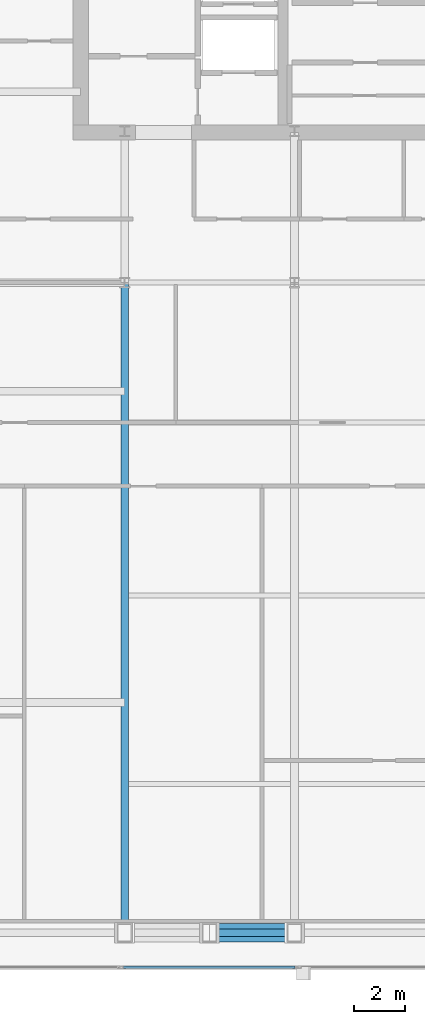
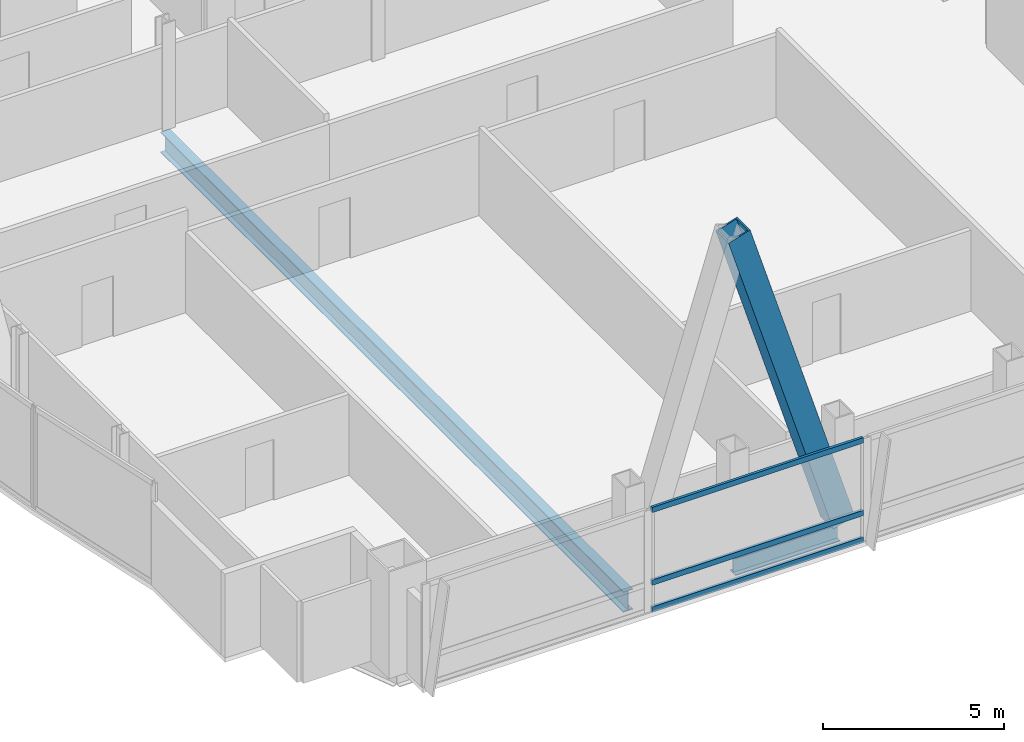
# One storey, part 7 of 33: 4 members, 2 beams, 1 element without a shape of its own.
"""IFC4 building model written with IfcOpenShell, lengths in metres."""

from ifc_helpers import new_model, si_unit, direction, frame, origin, origin_2d, place, context, subcontext, project, spatial, hollow_rectangle, i_section, extrude, material, material_profile, profile_set, type_object, element, aggregate, save


model = new_model("IFC4")

# Units and contexts
model_context = context("Model", 3, precision=1e-05, world=origin(), true_north=direction((0.0, 1.0)))
body_context = subcontext(model_context, "Body", "Model", "MODEL_VIEW")
ifc_project = project(units=[si_unit("LENGTHUNIT", "METRE"), si_unit("AREAUNIT", "SQUARE_METRE"), si_unit("VOLUMEUNIT", "CUBIC_METRE"), si_unit("PLANEANGLEUNIT", "RADIAN"), si_unit("MASSUNIT", "GRAM", prefix="KILO")], contexts=[model_context])

# Site, building, storey
site_placement = place(None, origin())
site = spatial("IfcSite", under=ifc_project, at=site_placement, CompositionType="ELEMENT")
building_placement = place(site_placement, origin())
building = spatial("IfcBuilding", under=site, at=building_placement, Name="Khoronbel Lancet Exchange", CompositionType="ELEMENT")
storey_placement = place(building_placement, frame((0.0, 0.0, 210.199951171875)))
storey = spatial("IfcBuildingStorey", under=building, at=storey_placement, Name="L53", CompositionType="ELEMENT", Elevation=210.199951171875)

# Beams
ifc_material_1 = material(Name="Steel S355", Category="steel")
ifc_material_profile_1 = material_profile(ifc_material_1, i_section(OverallWidth=0.300048828125, OverallDepth=0.699951171875, WebThickness=0.01708984375, FlangeThickness=0.031982421875, at=origin_2d()), Name="HEB 700")
ifc_profile_set_1 = profile_set([ifc_material_profile_1], Name="Steel S355")
beam_type_1 = type_object("IfcBeamType", Name="BM-BG3", PredefinedType="BEAM", material=ifc_profile_set_1)
beam_1_placement = place(storey_placement, frame((18.22509765625, 10.14990234375, -0.510009765625), z_axis=(0.0, 1.0, 0.0), x_axis=(-1.0, 0.0, 0.0)))
element("IfcBeam", 1, at=beam_1_placement, inside=storey, type_object=beam_type_1, Name="Level L53 south primary girder GS1", PredefinedType="BEAM", context=body_context, shape_type="SweptSolid", body=[
    extrude(i_section(OverallWidth=0.300048828125, OverallDepth=0.699951171875, WebThickness=0.01708984375, FlangeThickness=0.031982421875, at=origin_2d()), origin(), (0.0, 0.0, 1.0), 25.550048828125),
])
ifc_material_profile_2 = material_profile(ifc_material_1, i_section(OverallWidth=0.300048828125, OverallDepth=0.60009765625, WebThickness=0.015380859375, FlangeThickness=0.030029296875, at=origin_2d()), Name="HEB 600")
ifc_profile_set_2 = profile_set([ifc_material_profile_2], Name="Steel S355")
beam_type_2 = type_object("IfcBeamType", Name="BM-BSP2", PredefinedType="SPANDREL", material=ifc_profile_set_2)
beam_2_placement = place(storey_placement, frame((21.5625, 10.14990234375, -0.4599609375), z_axis=(1.0, 0.0, 0.0), x_axis=(0.0, 1.0, 0.0)))
element("IfcBeam", 2, at=beam_2_placement, inside=storey, type_object=beam_type_2, Name="Level L53 perimeter spandrel beam SP03", PredefinedType="SPANDREL", context=body_context, shape_type="SweptSolid", body=[
    extrude(i_section(OverallWidth=0.300048828125, OverallDepth=0.60009765625, WebThickness=0.015380859375, FlangeThickness=0.030029296875, at=origin_2d()), origin(), (0.0, 0.0, 1.0), 3.33740234375),
])

# Curtain wall, members
ifc_material_2 = material(Name="Low-E Solar Control Insulating Glass", Category="glass")
curtain_wall_type = type_object("IfcCurtainWallType", Name="CW-3", PredefinedType="NOTDEFINED", material=ifc_material_2)
curtain_wall_placement = place(storey_placement, origin())
curtain_wall = element("IfcCurtainWall", 3, at=curtain_wall_placement, inside=storey, type_object=curtain_wall_type, Name="Unitised curtain wall CW-L53-SWB", PredefinedType="NOTDEFINED")
ifc_material_3 = material(Name="Bronze-Anodised Aluminium 6063-T6", Category="aluminium")
ifc_material_profile_3 = material_profile(ifc_material_3, hollow_rectangle(XDim=0.0849609375, YDim=0.179931640625, WallThickness=0.0048828125, at=origin_2d()), Name="ALU TRANSOM 85x180")
ifc_profile_set_3 = profile_set([ifc_material_profile_3], Name="Bronze-Anodised Aluminium 6063-T6")
member_type_1 = type_object("IfcMemberType", Name="MEM-CWT1", PredefinedType="USERDEFINED", material=ifc_profile_set_3)
member_1_placement = place(storey_placement, frame((18.18505859375, 8.7900390625, 0.04248046875), z_axis=(1.0, 0.0, 0.0), x_axis=(0.0, 1.0, 0.0)))
member_1 = element("IfcMember", 4, at=member_1_placement, type_object=member_type_1, Name="CW3 transom 1.1", ObjectType="TRANSOM", PredefinedType="USERDEFINED", context=body_context, shape_type="SweptSolid", body=[
    extrude(hollow_rectangle(XDim=0.0849609375, YDim=0.179931640625, WallThickness=0.0048828125, at=origin_2d()), origin(), (0.0, 0.0, 1.0), 6.72998046875),
])
member_2_placement = place(storey_placement, frame((18.18505859375, 8.7900390625, 0.949951171875), z_axis=(1.0, 0.0, 0.0), x_axis=(0.0, 1.0, 0.0)))
member_2 = element("IfcMember", 5, at=member_2_placement, type_object=member_type_1, Name="CW3 transom 1.2", ObjectType="TRANSOM", PredefinedType="USERDEFINED", context=body_context, shape_type="SweptSolid", body=[
    extrude(hollow_rectangle(XDim=0.0849609375, YDim=0.179931640625, WallThickness=0.0048828125, at=origin_2d()), origin(), (0.0, 0.0, 1.0), 6.72998046875),
])
member_3_placement = place(storey_placement, frame((18.18505859375, 8.7900390625, 3.3974609375), z_axis=(1.0, 0.0, 0.0), x_axis=(0.0, 1.0, 0.0)))
member_3 = element("IfcMember", 6, at=member_3_placement, type_object=member_type_1, Name="CW3 transom 1.3", ObjectType="TRANSOM", PredefinedType="USERDEFINED", context=body_context, shape_type="SweptSolid", body=[
    extrude(hollow_rectangle(XDim=0.0849609375, YDim=0.179931640625, WallThickness=0.0048828125, at=origin_2d()), origin(), (0.0, 0.0, 1.0), 6.72998046875),
])
aggregate(curtain_wall, [member_1, member_2, member_3])

# Member
ifc_material_4 = material(Name="Steel S460", Category="steel")
ifc_material_profile_4 = material_profile(ifc_material_4, hollow_rectangle(XDim=0.719970703125, YDim=0.719970703125, WallThickness=0.050048828125, at=origin_2d()), Name="BOX 720x720x50")
ifc_profile_set_4 = profile_set([ifc_material_profile_4], Name="Steel S460")
member_type_2 = type_object("IfcMemberType", Name="MEM-MB2", PredefinedType="BRACE", material=ifc_profile_set_4)
member_4_placement = place(storey_placement, frame((24.89990234375, 10.14990234375, 0.0), z_axis=(-0.295242108906, 0.0, 0.955422470496), x_axis=(0.0, -1.0, 0.0)))
element("IfcMember", 7, at=member_4_placement, inside=storey, type_object=member_type_2, Name="Perimeter lancet brace tier 18 S-W-R", PredefinedType="BRACE", context=body_context, shape_type="SweptSolid", body=[
    extrude(hollow_rectangle(XDim=0.719970703125, YDim=0.719970703125, WallThickness=0.050048828125, at=origin_2d()), origin(), (0.0, 0.0, 1.0), 11.303955078125),
])

save(model, "model.ifc")
